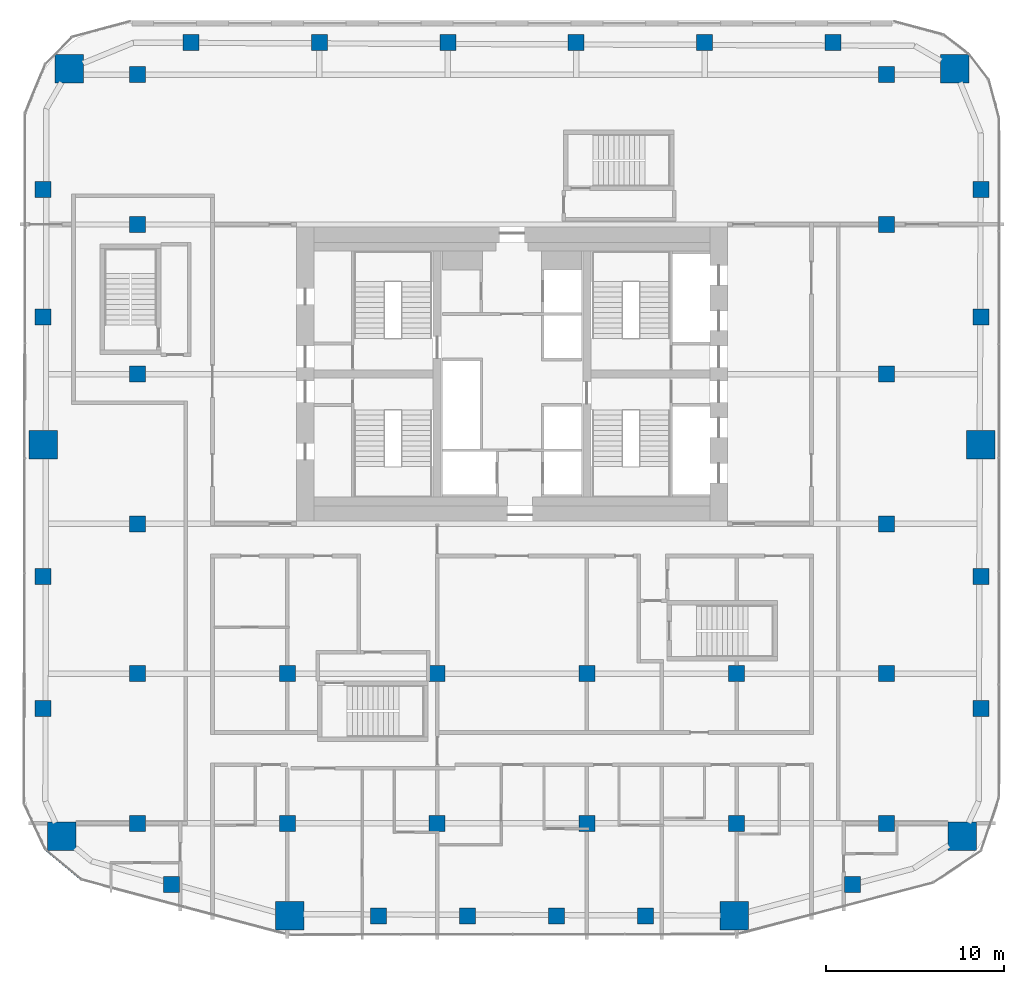
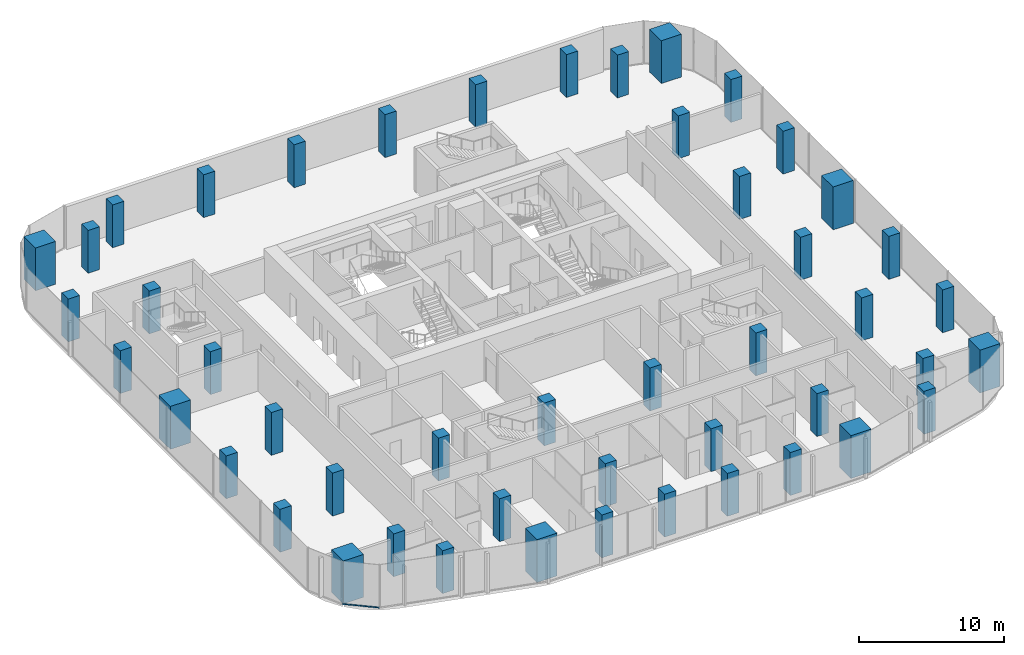
# One storey, part 1 of 21: 48 columns, 1 member, 1 element without a shape of its own.
"""IFC4 building model written with IfcOpenShell, lengths in metres."""

from ifc_helpers import new_model, si_unit, direction, frame, origin, origin_2d, place, context, subcontext, project, spatial, rectangle, extrude, material, layer, layer_set, material_profile, profile_set, type_object, element, aggregate, save


model = new_model("IFC4")

# Units and contexts
model_context = context("Model", 3, precision=1e-05, world=origin(), true_north=direction((0.0, 1.0)))
body_context = subcontext(model_context, "Body", "Model", "MODEL_VIEW")
ifc_project = project(units=[si_unit("LENGTHUNIT", "METRE"), si_unit("AREAUNIT", "SQUARE_METRE"), si_unit("VOLUMEUNIT", "CUBIC_METRE"), si_unit("PLANEANGLEUNIT", "RADIAN"), si_unit("MASSUNIT", "GRAM", prefix="KILO")], contexts=[model_context])

# Site, building, storey
site_placement = place(None, origin())
site = spatial("IfcSite", under=ifc_project, at=site_placement, CompositionType="ELEMENT")
building_placement = place(site_placement, origin())
building = spatial("IfcBuilding", under=site, at=building_placement, Name="Marenta Gate Hotel Tower", CompositionType="ELEMENT")
storey_placement = place(building_placement, frame((0.0, 0.0, 133.699951171875)))
storey = spatial("IfcBuildingStorey", under=building, at=storey_placement, Name="L30", CompositionType="ELEMENT", Elevation=133.699951171875)

# Columns
ifc_material_1 = material(Name="Concrete C70", Category="concrete")
ifc_material_profile_1 = material_profile(ifc_material_1, rectangle(XDim=0.89990234375, YDim=0.89990234375, at=origin_2d()), Name="900 x 900")
ifc_profile_set_1 = profile_set([ifc_material_profile_1], Name="Concrete C70")
column_type_1 = type_object("IfcColumnType", Name="Edge column 900 x 900 C70", PredefinedType="COLUMN", material=ifc_profile_set_1)
for number, where, z_axis, x_axis, name in (
    (1, (-26.300048828125, -10.351806640625, 0.0), (0.0, 0.0, 1.0), (1.0, 0.0, 0.0), "L30-EC-SW-W-1"),
    (2, (-26.300048828125, -2.950927734375, 0.0), (0.0, 0.0, 1.0), (1.0, 0.0, 0.0), "L30-EC-SW-W-2"),
    (3, (-26.300048828125, 11.603271484375, 0.0), (0.0, 0.0, 1.0), (1.0, 0.0, 0.0), "L30-EC-W-NW-1"),
    (4, (-26.300048828125, 18.75634765625, 0.0), (0.0, 0.0, 1.0), (1.0, 0.0, 0.0), "L30-EC-W-NW-2"),
    (5, (-18.0068359375, 27.0, 0.0), (0.0, 0.0, 1.0), (1.0, 0.0, 0.0), "L30-EC-NW-NE-1"),
    (6, (-10.80419921875, 27.0, 0.0), (0.0, 0.0, 1.0), (1.0, 0.0, 0.0), "L30-EC-NW-NE-2"),
    (7, (-3.601318359375, 27.0, 0.0), (0.0, 0.0, 1.0), (1.0, 0.0, 0.0), "L30-EC-NW-NE-3"),
    (8, (3.601318359375, 27.0, 0.0), (0.0, 0.0, 1.0), (1.0, 0.0, 0.0), "L30-EC-NW-NE-4"),
    (9, (10.80419921875, 27.0, 0.0), (0.0, 0.0, 1.0), (1.0, 0.0, 0.0), "L30-EC-NW-NE-5"),
    (10, (18.0068359375, 27.0, 0.0), (0.0, 0.0, 1.0), (1.0, 0.0, 0.0), "L30-EC-NW-NE-6"),
    (11, (26.300048828125, 18.75634765625, 0.0), (0.0, 0.0, 1.0), (1.0, 0.0, 0.0), "L30-EC-NE-E-1"),
    (12, (26.300048828125, 11.603271484375, 0.0), (0.0, 0.0, 1.0), (1.0, 0.0, 0.0), "L30-EC-NE-E-2"),
    (13, (26.300048828125, -2.950927734375, 0.0), (0.0, 0.0, 1.0), (1.0, 0.0, 0.0), "L30-EC-E-SE-1"),
    (14, (26.300048828125, -10.351806640625, 0.0), (0.0, 0.0, 1.0), (1.0, 0.0, 0.0), "L30-EC-E-SE-2"),
    (15, (19.106689453125, -20.239013671875, 0.0), (0.0, 0.0, 1.0), (1.0, 0.0, 0.0), "L30-EC-SE-SKE-1"),
    (16, (7.47998046875, -22.0, 0.0), (0.0, 0.0, 1.0), (1.0, 0.0, 0.0), "L30-EC-SKE-SKW-1"),
    (17, (2.493408203125, -22.0, 0.0), (0.0, 0.0, 1.0), (1.0, 0.0, 0.0), "L30-EC-SKE-SKW-2"),
    (18, (-2.493408203125, -22.0, 0.0), (0.0, 0.0, 1.0), (1.0, 0.0, 0.0), "L30-EC-SKE-SKW-3"),
    (19, (-7.47998046875, -22.0, 0.0), (0.0, 0.0, 1.0), (1.0, 0.0, 0.0), "L30-EC-SKE-SKW-4"),
    (20, (-19.106689453125, -20.239013671875, 0.0), (0.0, 0.0, 1.0), (1.0, 0.0, 0.0), "L30-EC-SKW-SW-1"),
):
    element("IfcColumn", number, at=place(storey_placement, frame(where, z_axis=z_axis, x_axis=x_axis)), inside=storey, type_object=column_type_1, Name=name, PredefinedType="COLUMN", context=body_context, shape_type="SweptSolid", body=[
        extrude(rectangle(XDim=0.89990234375, YDim=0.89990234375, at=origin_2d()), origin(), (0.0, 0.0, 1.0), 3.60009765625),
    ])
ifc_material_2 = material(Name="Concrete C70", Category="concrete")
ifc_material_profile_2 = material_profile(ifc_material_2, rectangle(XDim=0.89990234375, YDim=0.89990234375, at=origin_2d()), Name="900 x 900")
ifc_profile_set_2 = profile_set([ifc_material_profile_2], Name="Concrete C70")
column_type_2 = type_object("IfcColumnType", Name="Interior column 900 x 900 C70", PredefinedType="COLUMN", material=ifc_profile_set_2)
for number, where, z_axis, x_axis, name in (
    (21, (-21.0, -16.800048828125, 0.0), (0.0, 0.0, 1.0), (1.0, 0.0, 0.0), "L30-IC-4D"),
    (22, (-21.0, -8.39990234375, 0.0), (0.0, 0.0, 1.0), (1.0, 0.0, 0.0), "L30-IC-4E"),
    (23, (-21.0, 0.0, 0.0), (0.0, 0.0, 1.0), (1.0, 0.0, 0.0), "L30-IC-4F"),
    (24, (-21.0, 8.39990234375, 0.0), (0.0, 0.0, 1.0), (1.0, 0.0, 0.0), "L30-IC-4G"),
    (25, (-21.0, 16.800048828125, 0.0), (0.0, 0.0, 1.0), (1.0, 0.0, 0.0), "L30-IC-4H"),
    (26, (-21.0, 25.199951171875, 0.0), (0.0, 0.0, 1.0), (1.0, 0.0, 0.0), "L30-IC-4I"),
    (27, (-12.60009765625, -16.800048828125, 0.0), (0.0, 0.0, 1.0), (1.0, 0.0, 0.0), "L30-IC-5D"),
    (28, (-12.60009765625, -8.39990234375, 0.0), (0.0, 0.0, 1.0), (1.0, 0.0, 0.0), "L30-IC-5E"),
    (29, (-4.199951171875, -16.800048828125, 0.0), (0.0, 0.0, 1.0), (1.0, 0.0, 0.0), "L30-IC-6D"),
    (30, (-4.199951171875, -8.39990234375, 0.0), (0.0, 0.0, 1.0), (1.0, 0.0, 0.0), "L30-IC-6E"),
    (31, (4.199951171875, -16.800048828125, 0.0), (0.0, 0.0, 1.0), (1.0, 0.0, 0.0), "L30-IC-7D"),
    (32, (4.199951171875, -8.39990234375, 0.0), (0.0, 0.0, 1.0), (1.0, 0.0, 0.0), "L30-IC-7E"),
    (33, (12.60009765625, -16.800048828125, 0.0), (0.0, 0.0, 1.0), (1.0, 0.0, 0.0), "L30-IC-8D"),
    (34, (12.60009765625, -8.39990234375, 0.0), (0.0, 0.0, 1.0), (1.0, 0.0, 0.0), "L30-IC-8E"),
    (35, (21.0, -16.800048828125, 0.0), (0.0, 0.0, 1.0), (1.0, 0.0, 0.0), "L30-IC-9D"),
    (36, (21.0, -8.39990234375, 0.0), (0.0, 0.0, 1.0), (1.0, 0.0, 0.0), "L30-IC-9E"),
    (37, (21.0, 0.0, 0.0), (0.0, 0.0, 1.0), (1.0, 0.0, 0.0), "L30-IC-9F"),
    (38, (21.0, 8.39990234375, 0.0), (0.0, 0.0, 1.0), (1.0, 0.0, 0.0), "L30-IC-9G"),
    (39, (21.0, 16.800048828125, 0.0), (0.0, 0.0, 1.0), (1.0, 0.0, 0.0), "L30-IC-9H"),
    (40, (21.0, 25.199951171875, 0.0), (0.0, 0.0, 1.0), (1.0, 0.0, 0.0), "L30-IC-9I"),
):
    element("IfcColumn", number, at=place(storey_placement, frame(where, z_axis=z_axis, x_axis=x_axis)), inside=storey, type_object=column_type_2, Name=name, PredefinedType="COLUMN", context=body_context, shape_type="SweptSolid", body=[
        extrude(rectangle(XDim=0.89990234375, YDim=0.89990234375, at=origin_2d()), origin(), (0.0, 0.0, 1.0), 3.60009765625),
    ])
ifc_material_3 = material(Name="Concrete C70", Category="concrete")
ifc_material_profile_3 = material_profile(ifc_material_3, rectangle(XDim=1.60009765625, YDim=1.60009765625, at=origin_2d()), Name="1600 x 1600")
ifc_profile_set_3 = profile_set([ifc_material_profile_3], Name="Concrete C70")
column_type_3 = type_object("IfcColumnType", Name="Mega column 1600 x 1600 C70", PredefinedType="COLUMN", material=ifc_profile_set_3)
for number, where, z_axis, x_axis, name in (
    (41, (-25.262939453125, -17.532958984375, 0.0), (0.0, 0.0, 1.0), (1.0, 0.0, 0.0), "L30-MC-SW"),
    (42, (-12.46630859375, -21.974853515625, 0.0), (0.0, 0.0, 1.0), (1.0, 0.0, 0.0), "L30-MC-SKW"),
    (43, (12.46630859375, -21.974853515625, 0.0), (0.0, 0.0, 1.0), (1.0, 0.0, 0.0), "L30-MC-SKE"),
    (44, (25.262939453125, -17.532958984375, 0.0), (0.0, 0.0, 1.0), (1.0, 0.0, 0.0), "L30-MC-SE"),
    (45, (26.300048828125, 4.449951171875, 0.0), (0.0, 0.0, 1.0), (1.0, 0.0, 0.0), "L30-MC-E"),
    (46, (24.83544921875, 25.535400390625, 0.0), (0.0, 0.0, 1.0), (1.0, 0.0, 0.0), "L30-MC-NE"),
    (47, (-24.83544921875, 25.535400390625, 0.0), (0.0, 0.0, 1.0), (1.0, 0.0, 0.0), "L30-MC-NW"),
    (48, (-26.300048828125, 4.449951171875, 0.0), (0.0, 0.0, 1.0), (1.0, 0.0, 0.0), "L30-MC-W"),
):
    element("IfcColumn", number, at=place(storey_placement, frame(where, z_axis=z_axis, x_axis=x_axis)), inside=storey, type_object=column_type_3, Name=name, PredefinedType="COLUMN", context=body_context, shape_type="SweptSolid", body=[
        extrude(rectangle(XDim=1.60009765625, YDim=1.60009765625, at=origin_2d()), origin(), (0.0, 0.0, 1.0), 3.60009765625),
    ])

# Curtain wall, member
ifc_material_4 = material(Name="Tinted insulated glass in bronze anodised frame", Category="glass")
ifc_layer = layer(ifc_material_4, 0.1201171875)
ifc_layer_set = layer_set([ifc_layer], Name="Tinted insulated glass in bronze anodised frame")
curtain_wall_type = type_object("IfcCurtainWallType", Name="Tower unitised curtain wall CW1", PredefinedType="NOTDEFINED", material=ifc_layer_set)
curtain_wall_placement = place(storey_placement, origin())
curtain_wall = element("IfcCurtainWall", 49, at=curtain_wall_placement, inside=storey, type_object=curtain_wall_type, Name="CW1 run G05", PredefinedType="NOTDEFINED")
ifc_material_5 = material(Name="Bronze anodised aluminium", Category="aluminium")
ifc_material_profile_4 = material_profile(ifc_material_5, rectangle(XDim=0.1201171875, YDim=0.06005859375, at=origin_2d()), Name="Transom CW1 60x120 bronze anodised aluminium")
ifc_profile_set_4 = profile_set([ifc_material_profile_4], Name="Bronze anodised aluminium")
member_type = type_object("IfcMemberType", Name="Transom CW1 60x120 bronze anodised aluminium", PredefinedType="USERDEFINED", material=ifc_profile_set_4)
member_placement = place(storey_placement, frame((-26.12890625, -18.296142578125, 0.030029296875), z_axis=(0.767116735682, -0.641507532175, 0.0), x_axis=(0.641507532175, 0.767116735682, 0.0)))
member = element("IfcMember", 50, at=member_placement, type_object=member_type, Name="CW1 transom 1.1", ObjectType="TRANSOM", PredefinedType="USERDEFINED", context=body_context, shape_type="SweptSolid", body=[
    extrude(rectangle(XDim=0.1201171875, YDim=0.06005859375, at=origin_2d()), origin(), (0.0, 0.0, 1.0), 2.575439453125),
])
aggregate(curtain_wall, [member])

save(model, "model.ifc")
